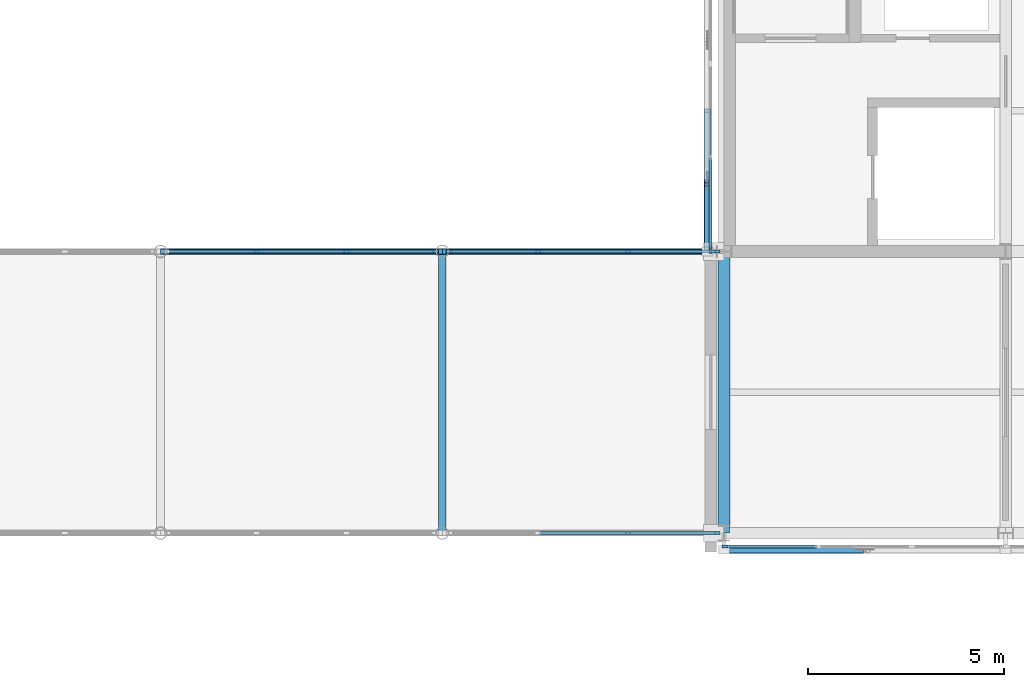
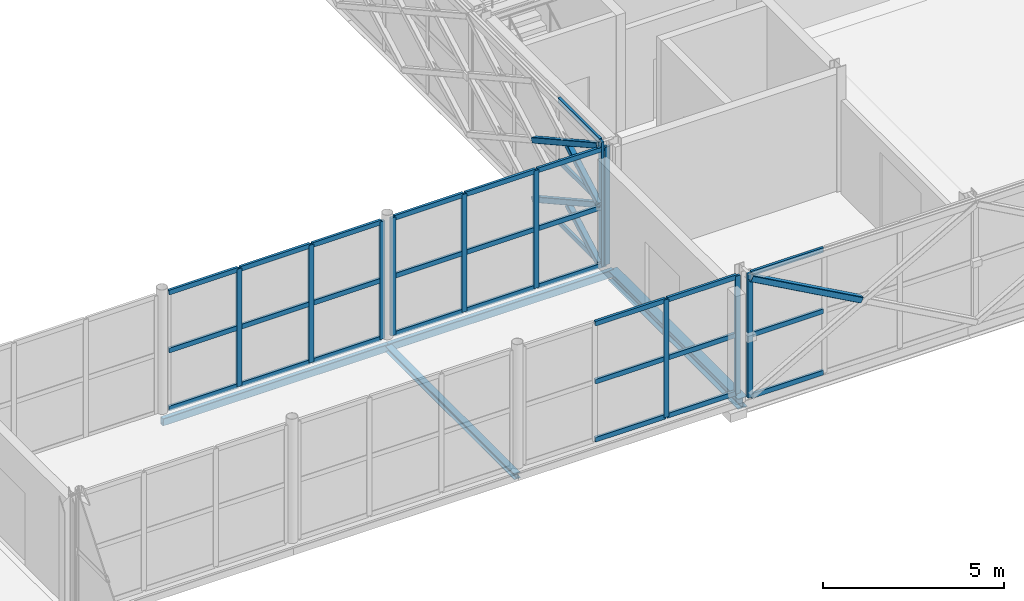
# One storey, part 46 of 126: 46 members, 4 beams, 5 elements without a shape of their own.
"""IFC4 building model written with IfcOpenShell, lengths in metres."""

from ifc_helpers import new_model, si_unit, direction, frame, origin, origin_2d, place, context, subcontext, project, spatial, rectangle, hollow_rectangle, i_section, extrude, material, material_profile, profile_set, type_object, element, aggregate, save


model = new_model("IFC4")

# Units and contexts
model_context = context("Model", 3, precision=1e-05, world=origin(), true_north=direction((0.0, 1.0)))
body_context = subcontext(model_context, "Body", "Model", "MODEL_VIEW")
ifc_project = project(units=[si_unit("LENGTHUNIT", "METRE"), si_unit("AREAUNIT", "SQUARE_METRE"), si_unit("VOLUMEUNIT", "CUBIC_METRE"), si_unit("PLANEANGLEUNIT", "RADIAN"), si_unit("MASSUNIT", "GRAM", prefix="KILO")], contexts=[model_context])

# Site, building, storey
site_placement = place(None, origin())
site = spatial("IfcSite", under=ifc_project, at=site_placement, CompositionType="ELEMENT")
building_placement = place(site_placement, origin())
building = spatial("IfcBuilding", under=site, at=building_placement, Name="Zlatovets Crest Museum", CompositionType="ELEMENT")
storey_placement = place(building_placement, frame((0.0, 0.0, 8.699951171875)))
storey = spatial("IfcBuildingStorey", under=building, at=storey_placement, Name="L02", CompositionType="ELEMENT", Elevation=8.699951171875)

# Beams
ifc_material_1 = material(Name="Structural steel S355J2", Category="steel")
ifc_material_profile_1 = material_profile(ifc_material_1, i_section(OverallWidth=0.300048828125, OverallDepth=0.35009765625, WebThickness=0.010009765625, FlangeThickness=0.017578125, FilletRadius=0.027099609375, at=origin_2d()), Name="HEA 360")
ifc_profile_set_1 = profile_set([ifc_material_profile_1], Name="Structural steel S355J2")
beam_type_1 = type_object("IfcBeamType", Name="Beam_B-03", PredefinedType="BEAM", material=ifc_profile_set_1)
beam_1_placement = place(storey_placement, frame((57.60009765625, 86.39990234375, -0.39501953125), z_axis=(0.0, 1.0, 0.0), x_axis=(-1.0, 0.0, 0.0)))
element("IfcBeam", 1, at=beam_1_placement, inside=storey, type_object=beam_type_1, Name="V1 L02 Grid Beam B-03", PredefinedType="BEAM", context=body_context, shape_type="SweptSolid", body=[
    extrude(i_section(OverallWidth=0.300048828125, OverallDepth=0.35009765625, WebThickness=0.010009765625, FlangeThickness=0.017578125, FilletRadius=0.027099609375, at=origin_2d()), origin(), (0.0, 0.0, 1.0), 7.2001953125),
])
ifc_material_profile_2 = material_profile(ifc_material_1, i_section(OverallWidth=0.199951171875, OverallDepth=0.18994140625, WebThickness=0.006591796875, FlangeThickness=0.010009765625, FilletRadius=0.01806640625, at=origin_2d()), Name="HEA 200")
ifc_profile_set_2 = profile_set([ifc_material_profile_2], Name="Structural steel S355J2")
beam_type_2 = type_object("IfcBeamType", Name="Beam_B-15", PredefinedType="BEAM", material=ifc_profile_set_2)
beam_2_placement = place(storey_placement, frame((50.39990234375, 86.39990234375, -0.344970703125), z_axis=(0.0, 1.0, 0.0), x_axis=(-1.0, 0.0, 0.0)))
element("IfcBeam", 2, at=beam_2_placement, inside=storey, type_object=beam_type_2, Name="Northwest Crest Glazed Link Bridge L02 Cross Beam", PredefinedType="BEAM", context=body_context, shape_type="SweptSolid", body=[
    extrude(i_section(OverallWidth=0.199951171875, OverallDepth=0.18994140625, WebThickness=0.006591796875, FlangeThickness=0.010009765625, FilletRadius=0.01806640625, at=origin_2d()), origin(), (0.0, 0.0, 1.0), 7.2001953125),
])
ifc_material_profile_3 = material_profile(ifc_material_1, hollow_rectangle(XDim=0.14990234375, YDim=0.25, WallThickness=0.010009765625, InnerFilletRadius=0.010009765625, OuterFilletRadius=0.02001953125, at=origin_2d()), Name="RHS 150x250x10.0")
ifc_profile_set_3 = profile_set([ifc_material_profile_3], Name="Structural steel S355J2")
beam_type_3 = type_object("IfcBeamType", Name="Beam_BRG-03", PredefinedType="BEAM", material=ifc_profile_set_3)
beam_3_placement = place(storey_placement, frame((43.199951171875, 93.60009765625, -0.344970703125), z_axis=(1.0, 0.0, 0.0), x_axis=(0.0, 1.0, 0.0)))
element("IfcBeam", 3, at=beam_3_placement, inside=storey, type_object=beam_type_3, Name="Northwest Crest Glazed Link Bridge L02 Stringer Beam", PredefinedType="BEAM", context=body_context, shape_type="SweptSolid", body=[
    extrude(hollow_rectangle(XDim=0.14990234375, YDim=0.25, WallThickness=0.010009765625, InnerFilletRadius=0.010009765625, OuterFilletRadius=0.02001953125, at=origin_2d()), origin(), (0.0, 0.0, 1.0), 7.199951171875),
])
beam_4_placement = place(storey_placement, frame((50.39990234375, 93.60009765625, -0.344970703125), z_axis=(1.0, 0.0, 0.0), x_axis=(0.0, 1.0, 0.0)))
element("IfcBeam", 4, at=beam_4_placement, inside=storey, type_object=beam_type_3, Name="Northwest Crest Glazed Link Bridge L02 Stringer Beam", PredefinedType="BEAM", context=body_context, shape_type="SweptSolid", body=[
    extrude(hollow_rectangle(XDim=0.14990234375, YDim=0.25, WallThickness=0.010009765625, InnerFilletRadius=0.010009765625, OuterFilletRadius=0.02001953125, at=origin_2d()), origin(), (0.0, 0.0, 1.0), 7.2001953125),
])

# Curtain wall, member
ifc_material_2 = material(Name="Bronze-anodised aluminium and low-E triple glass", Category="aluminium")
curtain_wall_type_1 = type_object("IfcCurtainWallType", Name="CW_CW-V1-L02-M0", PredefinedType="NOTDEFINED", material=ifc_material_2)
curtain_wall_1_placement = place(storey_placement, origin())
curtain_wall_1 = element("IfcCurtainWall", 5, at=curtain_wall_1_placement, inside=storey, type_object=curtain_wall_type_1, Name="V1 L02 Secession Foyer Clear Curtain Wall", PredefinedType="NOTDEFINED")
ifc_material_3 = material(Name="Bronze-anodised aluminium EN AW-6060", Category="aluminium")
ifc_material_profile_4 = material_profile(ifc_material_3, rectangle(XDim=0.080078125, YDim=0.159912109375, at=origin_2d()), Name="ALU 80x160")
ifc_profile_set_4 = profile_set([ifc_material_profile_4], Name="Bronze-anodised aluminium EN AW-6060")
member_type_1 = type_object("IfcMemberType", Name="CWMull_M1", PredefinedType="MULLION", material=ifc_profile_set_4)
member_1_placement = place(storey_placement, frame((57.6298828125, 86.06005859375, 0.0), z_axis=(0.0, 0.0, 1.0), x_axis=(0.0, 1.0, 0.0)))
member_1 = element("IfcMember", 6, at=member_1_placement, type_object=member_type_1, Name="CW-V1-L02-M0 mullion 1", PredefinedType="MULLION", context=body_context, shape_type="SweptSolid", body=[
    extrude(rectangle(XDim=0.080078125, YDim=0.159912109375, at=origin_2d()), origin(), (0.0, 0.0, 1.0), 4.199951171875),
])

curtain_wall_2_placement = place(storey_placement, origin())
curtain_wall_2 = element("IfcCurtainWall", 7, at=curtain_wall_2_placement, inside=storey, type_object=curtain_wall_type_1, Name="V1 L02 Expressed Core Glazed Facade", PredefinedType="NOTDEFINED")
member_2_placement = place(storey_placement, frame((57.260009765625, 93.6298828125, 0.0), z_axis=(0.0, 0.0, 1.0), x_axis=(1.0, 0.0, 0.0)))
member_2 = element("IfcMember", 8, at=member_2_placement, type_object=member_type_1, Name="CW-V1-L02-M0 mullion 4", PredefinedType="MULLION", context=body_context, shape_type="SweptSolid", body=[
    extrude(rectangle(XDim=0.080078125, YDim=0.159912109375, at=origin_2d()), origin(), (0.0, 0.0, 1.0), 4.199951171875),
])

# Curtain wall, members
curtain_wall_type_2 = type_object("IfcCurtainWallType", Name="CW_CW-BR3-L02-S69", PredefinedType="NOTDEFINED", material=ifc_material_2)
curtain_wall_3_placement = place(storey_placement, origin())
curtain_wall_3 = element("IfcCurtainWall", 9, at=curtain_wall_3_placement, inside=storey, type_object=curtain_wall_type_2, Name="Northwest Crest Glazed Link Bridge L02 Glazed Bridge Curtain Wall", PredefinedType="NOTDEFINED")
member_3_placement = place(storey_placement, frame((55.14990234375, 86.39990234375, 0.0), z_axis=(0.0, 0.0, 1.0), x_axis=(0.0, 1.0, 0.0)))
member_3 = element("IfcMember", 10, at=member_3_placement, type_object=member_type_1, Name="CW-BR3-L02-S69 mullion 3", PredefinedType="MULLION", context=body_context, shape_type="SweptSolid", body=[
    extrude(rectangle(XDim=0.080078125, YDim=0.159912109375, at=origin_2d()), origin(), (0.0, 0.0, 1.0), 3.97998046875),
])
member_4_placement = place(storey_placement, frame((57.419921875, 86.39990234375, 0.0), z_axis=(0.0, 0.0, 1.0), x_axis=(0.0, 1.0, 0.0)))
member_4 = element("IfcMember", 11, at=member_4_placement, type_object=member_type_1, Name="CW-BR3-L02-S69 mullion 4", PredefinedType="MULLION", context=body_context, shape_type="SweptSolid", body=[
    extrude(rectangle(XDim=0.080078125, YDim=0.159912109375, at=origin_2d()), origin(), (0.0, 0.0, 1.0), 3.97998046875),
])

curtain_wall_4_placement = place(storey_placement, origin())
curtain_wall_4 = element("IfcCurtainWall", 12, at=curtain_wall_4_placement, inside=storey, type_object=curtain_wall_type_2, Name="Northwest Crest Glazed Link Bridge L02 Glazed Bridge Curtain Wall", PredefinedType="NOTDEFINED")
member_5_placement = place(storey_placement, frame((45.64990234375, 93.60009765625, 0.0), z_axis=(0.0, 0.0, 1.0), x_axis=(0.0, 1.0, 0.0)))
member_5 = element("IfcMember", 13, at=member_5_placement, type_object=member_type_1, Name="CW-BR3-L02-S69 mullion 2", PredefinedType="MULLION", context=body_context, shape_type="SweptSolid", body=[
    extrude(rectangle(XDim=0.080078125, YDim=0.159912109375, at=origin_2d()), origin(), (0.0, 0.0, 1.0), 3.97998046875),
])
member_6_placement = place(storey_placement, frame((47.949951171875, 93.60009765625, 0.0), z_axis=(0.0, 0.0, 1.0), x_axis=(0.0, 1.0, 0.0)))
member_6 = element("IfcMember", 14, at=member_6_placement, type_object=member_type_1, Name="CW-BR3-L02-S69 mullion 3", PredefinedType="MULLION", context=body_context, shape_type="SweptSolid", body=[
    extrude(rectangle(XDim=0.080078125, YDim=0.159912109375, at=origin_2d()), origin(), (0.0, 0.0, 1.0), 3.97998046875),
])
member_7_placement = place(storey_placement, frame((50.219970703125, 93.60009765625, 0.0), z_axis=(0.0, 0.0, 1.0), x_axis=(0.0, 1.0, 0.0)))
member_7 = element("IfcMember", 15, at=member_7_placement, type_object=member_type_1, Name="CW-BR3-L02-S69 mullion 4", PredefinedType="MULLION", context=body_context, shape_type="SweptSolid", body=[
    extrude(rectangle(XDim=0.080078125, YDim=0.159912109375, at=origin_2d()), origin(), (0.0, 0.0, 1.0), 3.97998046875),
])

curtain_wall_5_placement = place(storey_placement, origin())
curtain_wall_5 = element("IfcCurtainWall", 16, at=curtain_wall_5_placement, inside=storey, type_object=curtain_wall_type_2, Name="Northwest Crest Glazed Link Bridge L02 Glazed Bridge Curtain Wall", PredefinedType="NOTDEFINED")
member_8_placement = place(storey_placement, frame((50.580078125, 93.60009765625, 0.0), z_axis=(0.0, 0.0, 1.0), x_axis=(0.0, 1.0, 0.0)))
member_8 = element("IfcMember", 17, at=member_8_placement, type_object=member_type_1, Name="CW-BR3-L02-S69 mullion 1", PredefinedType="MULLION", context=body_context, shape_type="SweptSolid", body=[
    extrude(rectangle(XDim=0.080078125, YDim=0.159912109375, at=origin_2d()), origin(), (0.0, 0.0, 1.0), 3.97998046875),
])
member_9_placement = place(storey_placement, frame((52.85009765625, 93.60009765625, 0.0), z_axis=(0.0, 0.0, 1.0), x_axis=(0.0, 1.0, 0.0)))
member_9 = element("IfcMember", 18, at=member_9_placement, type_object=member_type_1, Name="CW-BR3-L02-S69 mullion 2", PredefinedType="MULLION", context=body_context, shape_type="SweptSolid", body=[
    extrude(rectangle(XDim=0.080078125, YDim=0.159912109375, at=origin_2d()), origin(), (0.0, 0.0, 1.0), 3.97998046875),
])
member_10_placement = place(storey_placement, frame((55.14990234375, 93.60009765625, 0.0), z_axis=(0.0, 0.0, 1.0), x_axis=(0.0, 1.0, 0.0)))
member_10 = element("IfcMember", 19, at=member_10_placement, type_object=member_type_1, Name="CW-BR3-L02-S69 mullion 3", PredefinedType="MULLION", context=body_context, shape_type="SweptSolid", body=[
    extrude(rectangle(XDim=0.080078125, YDim=0.159912109375, at=origin_2d()), origin(), (0.0, 0.0, 1.0), 3.97998046875),
])
member_11_placement = place(storey_placement, frame((57.419921875, 93.60009765625, 0.0), z_axis=(0.0, 0.0, 1.0), x_axis=(0.0, 1.0, 0.0)))
member_11 = element("IfcMember", 20, at=member_11_placement, type_object=member_type_1, Name="CW-BR3-L02-S69 mullion 4", PredefinedType="MULLION", context=body_context, shape_type="SweptSolid", body=[
    extrude(rectangle(XDim=0.080078125, YDim=0.159912109375, at=origin_2d()), origin(), (0.0, 0.0, 1.0), 3.97998046875),
])

# Member
ifc_material_profile_5 = material_profile(ifc_material_3, rectangle(XDim=0.080078125, YDim=0.159912109375, at=origin_2d()), Name="ALU 80x160")
ifc_profile_set_5 = profile_set([ifc_material_profile_5], Name="Bronze-anodised aluminium EN AW-6060")
member_type_2 = type_object("IfcMemberType", Name="CWTrans_T1", PredefinedType="USERDEFINED", material=ifc_profile_set_5)
member_12_placement = place(storey_placement, frame((57.659912109375, 86.06005859375, 0.030029296875), z_axis=(1.0, 0.0, 0.0), x_axis=(0.0, 1.0, 0.0)))
member_12 = element("IfcMember", 21, at=member_12_placement, type_object=member_type_2, Name="CW-V1-L02-M0 transom 1.1", ObjectType="TRANSOM", PredefinedType="USERDEFINED", context=body_context, shape_type="SweptSolid", body=[
    extrude(rectangle(XDim=0.080078125, YDim=0.159912109375, at=origin_2d()), origin(), (0.0, 0.0, 1.0), 2.31005859375),
])

member_13_placement = place(storey_placement, frame((57.659912109375, 86.06005859375, 2.10009765625), z_axis=(1.0, 0.0, 0.0), x_axis=(0.0, 1.0, 0.0)))
member_13 = element("IfcMember", 22, at=member_13_placement, type_object=member_type_2, Name="CW-V1-L02-M0 transom 1.2", ObjectType="TRANSOM", PredefinedType="USERDEFINED", context=body_context, shape_type="SweptSolid", body=[
    extrude(rectangle(XDim=0.080078125, YDim=0.159912109375, at=origin_2d()), origin(), (0.0, 0.0, 1.0), 2.31005859375),
])

member_14_placement = place(storey_placement, frame((57.659912109375, 86.06005859375, 4.170166015625), z_axis=(1.0, 0.0, 0.0), x_axis=(0.0, 1.0, 0.0)))
member_14 = element("IfcMember", 23, at=member_14_placement, type_object=member_type_2, Name="CW-V1-L02-M0 transom 1.3", ObjectType="TRANSOM", PredefinedType="USERDEFINED", context=body_context, shape_type="SweptSolid", body=[
    extrude(rectangle(XDim=0.080078125, YDim=0.159912109375, at=origin_2d()), origin(), (0.0, 0.0, 1.0), 2.31005859375),
])

aggregate(curtain_wall_1, [member_1, member_12, member_13, member_14])

member_15_placement = place(storey_placement, frame((57.260009765625, 95.969970703125, 0.030029296875), z_axis=(0.0, -1.0, 0.0), x_axis=(1.0, 0.0, 0.0)))
member_15 = element("IfcMember", 24, at=member_15_placement, type_object=member_type_2, Name="CW-V1-L02-M0 transom 3.1", ObjectType="TRANSOM", PredefinedType="USERDEFINED", context=body_context, shape_type="SweptSolid", body=[
    extrude(rectangle(XDim=0.080078125, YDim=0.159912109375, at=origin_2d()), origin(), (0.0, 0.0, 1.0), 2.31005859375),
])

member_16_placement = place(storey_placement, frame((57.260009765625, 95.969970703125, 2.10009765625), z_axis=(0.0, -1.0, 0.0), x_axis=(1.0, 0.0, 0.0)))
member_16 = element("IfcMember", 25, at=member_16_placement, type_object=member_type_2, Name="CW-V1-L02-M0 transom 3.2", ObjectType="TRANSOM", PredefinedType="USERDEFINED", context=body_context, shape_type="SweptSolid", body=[
    extrude(rectangle(XDim=0.080078125, YDim=0.159912109375, at=origin_2d()), origin(), (0.0, 0.0, 1.0), 2.31005859375),
])

member_17_placement = place(storey_placement, frame((57.260009765625, 95.969970703125, 4.170166015625), z_axis=(0.0, -1.0, 0.0), x_axis=(1.0, 0.0, 0.0)))
member_17 = element("IfcMember", 26, at=member_17_placement, type_object=member_type_2, Name="CW-V1-L02-M0 transom 3.3", ObjectType="TRANSOM", PredefinedType="USERDEFINED", context=body_context, shape_type="SweptSolid", body=[
    extrude(rectangle(XDim=0.080078125, YDim=0.159912109375, at=origin_2d()), origin(), (0.0, 0.0, 1.0), 2.31005859375),
])

aggregate(curtain_wall_2, [member_2, member_15, member_16, member_17])

member_18_placement = place(storey_placement, frame((52.8798828125, 86.39990234375, 0.030029296875), z_axis=(1.0, 0.0, 0.0), x_axis=(0.0, 1.0, 0.0)))
member_18 = element("IfcMember", 27, at=member_18_placement, type_object=member_type_2, Name="CW-BR3-L02-S69 transom 2.1", ObjectType="TRANSOM", PredefinedType="USERDEFINED", context=body_context, shape_type="SweptSolid", body=[
    extrude(rectangle(XDim=0.080078125, YDim=0.159912109375, at=origin_2d()), origin(), (0.0, 0.0, 1.0), 2.240234375),
])

member_19_placement = place(storey_placement, frame((52.8798828125, 86.39990234375, 1.989990234375), z_axis=(1.0, 0.0, 0.0), x_axis=(0.0, 1.0, 0.0)))
member_19 = element("IfcMember", 28, at=member_19_placement, type_object=member_type_2, Name="CW-BR3-L02-S69 transom 2.2", ObjectType="TRANSOM", PredefinedType="USERDEFINED", context=body_context, shape_type="SweptSolid", body=[
    extrude(rectangle(XDim=0.080078125, YDim=0.159912109375, at=origin_2d()), origin(), (0.0, 0.0, 1.0), 2.240234375),
])

member_20_placement = place(storey_placement, frame((52.8798828125, 86.39990234375, 3.949951171875), z_axis=(1.0, 0.0, 0.0), x_axis=(0.0, 1.0, 0.0)))
member_20 = element("IfcMember", 29, at=member_20_placement, type_object=member_type_2, Name="CW-BR3-L02-S69 transom 2.3", ObjectType="TRANSOM", PredefinedType="USERDEFINED", context=body_context, shape_type="SweptSolid", body=[
    extrude(rectangle(XDim=0.080078125, YDim=0.159912109375, at=origin_2d()), origin(), (0.0, 0.0, 1.0), 2.240234375),
])

member_21_placement = place(storey_placement, frame((55.179931640625, 86.39990234375, 0.030029296875), z_axis=(1.0, 0.0, 0.0), x_axis=(0.0, 1.0, 0.0)))
member_21 = element("IfcMember", 30, at=member_21_placement, type_object=member_type_2, Name="CW-BR3-L02-S69 transom 3.1", ObjectType="TRANSOM", PredefinedType="USERDEFINED", context=body_context, shape_type="SweptSolid", body=[
    extrude(rectangle(XDim=0.080078125, YDim=0.159912109375, at=origin_2d()), origin(), (0.0, 0.0, 1.0), 2.2099609375),
])

member_22_placement = place(storey_placement, frame((55.179931640625, 86.39990234375, 1.989990234375), z_axis=(1.0, 0.0, 0.0), x_axis=(0.0, 1.0, 0.0)))
member_22 = element("IfcMember", 31, at=member_22_placement, type_object=member_type_2, Name="CW-BR3-L02-S69 transom 3.2", ObjectType="TRANSOM", PredefinedType="USERDEFINED", context=body_context, shape_type="SweptSolid", body=[
    extrude(rectangle(XDim=0.080078125, YDim=0.159912109375, at=origin_2d()), origin(), (0.0, 0.0, 1.0), 2.2099609375),
])

member_23_placement = place(storey_placement, frame((55.179931640625, 86.39990234375, 3.949951171875), z_axis=(1.0, 0.0, 0.0), x_axis=(0.0, 1.0, 0.0)))
member_23 = element("IfcMember", 32, at=member_23_placement, type_object=member_type_2, Name="CW-BR3-L02-S69 transom 3.3", ObjectType="TRANSOM", PredefinedType="USERDEFINED", context=body_context, shape_type="SweptSolid", body=[
    extrude(rectangle(XDim=0.080078125, YDim=0.159912109375, at=origin_2d()), origin(), (0.0, 0.0, 1.0), 2.2099609375),
])

aggregate(curtain_wall_3, [member_3, member_4, member_18, member_19, member_20, member_21, member_22, member_23])

member_24_placement = place(storey_placement, frame((43.409912109375, 93.60009765625, 0.030029296875), z_axis=(1.0, 0.0, 0.0), x_axis=(0.0, 1.0, 0.0)))
member_24 = element("IfcMember", 33, at=member_24_placement, type_object=member_type_2, Name="CW-BR3-L02-S69 transom 1.1", ObjectType="TRANSOM", PredefinedType="USERDEFINED", context=body_context, shape_type="SweptSolid", body=[
    extrude(rectangle(XDim=0.080078125, YDim=0.159912109375, at=origin_2d()), origin(), (0.0, 0.0, 1.0), 2.210205078125),
])

member_25_placement = place(storey_placement, frame((43.409912109375, 93.60009765625, 1.989990234375), z_axis=(1.0, 0.0, 0.0), x_axis=(0.0, 1.0, 0.0)))
member_25 = element("IfcMember", 34, at=member_25_placement, type_object=member_type_2, Name="CW-BR3-L02-S69 transom 1.2", ObjectType="TRANSOM", PredefinedType="USERDEFINED", context=body_context, shape_type="SweptSolid", body=[
    extrude(rectangle(XDim=0.080078125, YDim=0.159912109375, at=origin_2d()), origin(), (0.0, 0.0, 1.0), 2.210205078125),
])

member_26_placement = place(storey_placement, frame((43.409912109375, 93.60009765625, 3.949951171875), z_axis=(1.0, 0.0, 0.0), x_axis=(0.0, 1.0, 0.0)))
member_26 = element("IfcMember", 35, at=member_26_placement, type_object=member_type_2, Name="CW-BR3-L02-S69 transom 1.3", ObjectType="TRANSOM", PredefinedType="USERDEFINED", context=body_context, shape_type="SweptSolid", body=[
    extrude(rectangle(XDim=0.080078125, YDim=0.159912109375, at=origin_2d()), origin(), (0.0, 0.0, 1.0), 2.210205078125),
])

member_27_placement = place(storey_placement, frame((45.679931640625, 93.60009765625, 0.030029296875), z_axis=(1.0, 0.0, 0.0), x_axis=(0.0, 1.0, 0.0)))
member_27 = element("IfcMember", 36, at=member_27_placement, type_object=member_type_2, Name="CW-BR3-L02-S69 transom 2.1", ObjectType="TRANSOM", PredefinedType="USERDEFINED", context=body_context, shape_type="SweptSolid", body=[
    extrude(rectangle(XDim=0.080078125, YDim=0.159912109375, at=origin_2d()), origin(), (0.0, 0.0, 1.0), 2.239990234375),
])

member_28_placement = place(storey_placement, frame((45.679931640625, 93.60009765625, 1.989990234375), z_axis=(1.0, 0.0, 0.0), x_axis=(0.0, 1.0, 0.0)))
member_28 = element("IfcMember", 37, at=member_28_placement, type_object=member_type_2, Name="CW-BR3-L02-S69 transom 2.2", ObjectType="TRANSOM", PredefinedType="USERDEFINED", context=body_context, shape_type="SweptSolid", body=[
    extrude(rectangle(XDim=0.080078125, YDim=0.159912109375, at=origin_2d()), origin(), (0.0, 0.0, 1.0), 2.239990234375),
])

member_29_placement = place(storey_placement, frame((45.679931640625, 93.60009765625, 3.949951171875), z_axis=(1.0, 0.0, 0.0), x_axis=(0.0, 1.0, 0.0)))
member_29 = element("IfcMember", 38, at=member_29_placement, type_object=member_type_2, Name="CW-BR3-L02-S69 transom 2.3", ObjectType="TRANSOM", PredefinedType="USERDEFINED", context=body_context, shape_type="SweptSolid", body=[
    extrude(rectangle(XDim=0.080078125, YDim=0.159912109375, at=origin_2d()), origin(), (0.0, 0.0, 1.0), 2.239990234375),
])

member_30_placement = place(storey_placement, frame((47.97998046875, 93.60009765625, 0.030029296875), z_axis=(1.0, 0.0, 0.0), x_axis=(0.0, 1.0, 0.0)))
member_30 = element("IfcMember", 39, at=member_30_placement, type_object=member_type_2, Name="CW-BR3-L02-S69 transom 3.1", ObjectType="TRANSOM", PredefinedType="USERDEFINED", context=body_context, shape_type="SweptSolid", body=[
    extrude(rectangle(XDim=0.080078125, YDim=0.159912109375, at=origin_2d()), origin(), (0.0, 0.0, 1.0), 2.2099609375),
])

member_31_placement = place(storey_placement, frame((47.97998046875, 93.60009765625, 1.989990234375), z_axis=(1.0, 0.0, 0.0), x_axis=(0.0, 1.0, 0.0)))
member_31 = element("IfcMember", 40, at=member_31_placement, type_object=member_type_2, Name="CW-BR3-L02-S69 transom 3.2", ObjectType="TRANSOM", PredefinedType="USERDEFINED", context=body_context, shape_type="SweptSolid", body=[
    extrude(rectangle(XDim=0.080078125, YDim=0.159912109375, at=origin_2d()), origin(), (0.0, 0.0, 1.0), 2.2099609375),
])

member_32_placement = place(storey_placement, frame((47.97998046875, 93.60009765625, 3.949951171875), z_axis=(1.0, 0.0, 0.0), x_axis=(0.0, 1.0, 0.0)))
member_32 = element("IfcMember", 41, at=member_32_placement, type_object=member_type_2, Name="CW-BR3-L02-S69 transom 3.3", ObjectType="TRANSOM", PredefinedType="USERDEFINED", context=body_context, shape_type="SweptSolid", body=[
    extrude(rectangle(XDim=0.080078125, YDim=0.159912109375, at=origin_2d()), origin(), (0.0, 0.0, 1.0), 2.2099609375),
])

aggregate(curtain_wall_4, [member_5, member_6, member_7, member_24, member_25, member_26, member_27, member_28, member_29, member_30, member_31, member_32])

member_33_placement = place(storey_placement, frame((50.610107421875, 93.60009765625, 0.030029296875), z_axis=(1.0, 0.0, 0.0), x_axis=(0.0, 1.0, 0.0)))
member_33 = element("IfcMember", 42, at=member_33_placement, type_object=member_type_2, Name="CW-BR3-L02-S69 transom 1.1", ObjectType="TRANSOM", PredefinedType="USERDEFINED", context=body_context, shape_type="SweptSolid", body=[
    extrude(rectangle(XDim=0.080078125, YDim=0.159912109375, at=origin_2d()), origin(), (0.0, 0.0, 1.0), 2.2099609375),
])

member_34_placement = place(storey_placement, frame((50.610107421875, 93.60009765625, 1.989990234375), z_axis=(1.0, 0.0, 0.0), x_axis=(0.0, 1.0, 0.0)))
member_34 = element("IfcMember", 43, at=member_34_placement, type_object=member_type_2, Name="CW-BR3-L02-S69 transom 1.2", ObjectType="TRANSOM", PredefinedType="USERDEFINED", context=body_context, shape_type="SweptSolid", body=[
    extrude(rectangle(XDim=0.080078125, YDim=0.159912109375, at=origin_2d()), origin(), (0.0, 0.0, 1.0), 2.2099609375),
])

member_35_placement = place(storey_placement, frame((50.610107421875, 93.60009765625, 3.949951171875), z_axis=(1.0, 0.0, 0.0), x_axis=(0.0, 1.0, 0.0)))
member_35 = element("IfcMember", 44, at=member_35_placement, type_object=member_type_2, Name="CW-BR3-L02-S69 transom 1.3", ObjectType="TRANSOM", PredefinedType="USERDEFINED", context=body_context, shape_type="SweptSolid", body=[
    extrude(rectangle(XDim=0.080078125, YDim=0.159912109375, at=origin_2d()), origin(), (0.0, 0.0, 1.0), 2.2099609375),
])

member_36_placement = place(storey_placement, frame((52.8798828125, 93.60009765625, 0.030029296875), z_axis=(1.0, 0.0, 0.0), x_axis=(0.0, 1.0, 0.0)))
member_36 = element("IfcMember", 45, at=member_36_placement, type_object=member_type_2, Name="CW-BR3-L02-S69 transom 2.1", ObjectType="TRANSOM", PredefinedType="USERDEFINED", context=body_context, shape_type="SweptSolid", body=[
    extrude(rectangle(XDim=0.080078125, YDim=0.159912109375, at=origin_2d()), origin(), (0.0, 0.0, 1.0), 2.240234375),
])

member_37_placement = place(storey_placement, frame((52.8798828125, 93.60009765625, 1.989990234375), z_axis=(1.0, 0.0, 0.0), x_axis=(0.0, 1.0, 0.0)))
member_37 = element("IfcMember", 46, at=member_37_placement, type_object=member_type_2, Name="CW-BR3-L02-S69 transom 2.2", ObjectType="TRANSOM", PredefinedType="USERDEFINED", context=body_context, shape_type="SweptSolid", body=[
    extrude(rectangle(XDim=0.080078125, YDim=0.159912109375, at=origin_2d()), origin(), (0.0, 0.0, 1.0), 2.240234375),
])

member_38_placement = place(storey_placement, frame((52.8798828125, 93.60009765625, 3.949951171875), z_axis=(1.0, 0.0, 0.0), x_axis=(0.0, 1.0, 0.0)))
member_38 = element("IfcMember", 47, at=member_38_placement, type_object=member_type_2, Name="CW-BR3-L02-S69 transom 2.3", ObjectType="TRANSOM", PredefinedType="USERDEFINED", context=body_context, shape_type="SweptSolid", body=[
    extrude(rectangle(XDim=0.080078125, YDim=0.159912109375, at=origin_2d()), origin(), (0.0, 0.0, 1.0), 2.240234375),
])

member_39_placement = place(storey_placement, frame((55.179931640625, 93.60009765625, 0.030029296875), z_axis=(1.0, 0.0, 0.0), x_axis=(0.0, 1.0, 0.0)))
member_39 = element("IfcMember", 48, at=member_39_placement, type_object=member_type_2, Name="CW-BR3-L02-S69 transom 3.1", ObjectType="TRANSOM", PredefinedType="USERDEFINED", context=body_context, shape_type="SweptSolid", body=[
    extrude(rectangle(XDim=0.080078125, YDim=0.159912109375, at=origin_2d()), origin(), (0.0, 0.0, 1.0), 2.2099609375),
])

member_40_placement = place(storey_placement, frame((55.179931640625, 93.60009765625, 1.989990234375), z_axis=(1.0, 0.0, 0.0), x_axis=(0.0, 1.0, 0.0)))
member_40 = element("IfcMember", 49, at=member_40_placement, type_object=member_type_2, Name="CW-BR3-L02-S69 transom 3.2", ObjectType="TRANSOM", PredefinedType="USERDEFINED", context=body_context, shape_type="SweptSolid", body=[
    extrude(rectangle(XDim=0.080078125, YDim=0.159912109375, at=origin_2d()), origin(), (0.0, 0.0, 1.0), 2.2099609375),
])

member_41_placement = place(storey_placement, frame((55.179931640625, 93.60009765625, 3.949951171875), z_axis=(1.0, 0.0, 0.0), x_axis=(0.0, 1.0, 0.0)))
member_41 = element("IfcMember", 50, at=member_41_placement, type_object=member_type_2, Name="CW-BR3-L02-S69 transom 3.3", ObjectType="TRANSOM", PredefinedType="USERDEFINED", context=body_context, shape_type="SweptSolid", body=[
    extrude(rectangle(XDim=0.080078125, YDim=0.159912109375, at=origin_2d()), origin(), (0.0, 0.0, 1.0), 2.2099609375),
])

aggregate(curtain_wall_5, [member_8, member_9, member_10, member_11, member_33, member_34, member_35, member_36, member_37, member_38, member_39, member_40, member_41])

# Members
ifc_material_4 = material(Name="Weathering bronze-steel S355J2W", Category="steel")
ifc_material_profile_6 = material_profile(ifc_material_4, hollow_rectangle(XDim=0.179931640625, YDim=0.179931640625, WallThickness=0.010009765625, InnerFilletRadius=0.010009765625, OuterFilletRadius=0.02001953125, at=origin_2d()), Name="SHS 180x180x10.0")
ifc_profile_set_6 = profile_set([ifc_material_profile_6], Name="Weathering bronze-steel S355J2W")
member_type_3 = type_object("IfcMemberType", Name="Lattice_XL-01", PredefinedType="BRACE", material=ifc_profile_set_6)
member_42_placement = place(storey_placement, frame((57.179931640625, 97.199951171875, 0.10009765625), z_axis=(0.0, -0.874148886685, 0.485658031857), x_axis=(1.0, 0.0, 0.0)))
element("IfcMember", 51, at=member_42_placement, inside=storey, type_object=member_type_3, Name="Continuous Bronze Lattice Diagonal", PredefinedType="BRACE", context=body_context, shape_type="SweptSolid", body=[
    extrude(hollow_rectangle(XDim=0.179931640625, YDim=0.179931640625, WallThickness=0.010009765625, InnerFilletRadius=0.010009765625, OuterFilletRadius=0.02001953125, at=origin_2d()), origin(), (0.0, 0.0, 1.0), 4.1181640625),
])
member_43_placement = place(storey_placement, frame((57.179931640625, 95.31689453125, 1.053955078125), z_axis=(0.0, -0.874139684676, -0.48567459443), x_axis=(1.0, 0.0, 0.0)))
element("IfcMember", 52, at=member_43_placement, inside=storey, type_object=member_type_3, Name="Split Crossing Bronze Lattice Diagonal Lower", PredefinedType="BRACE", context=body_context, shape_type="SweptSolid", body=[
    extrude(hollow_rectangle(XDim=0.179931640625, YDim=0.179931640625, WallThickness=0.010009765625, InnerFilletRadius=0.010009765625, OuterFilletRadius=0.02001953125, at=origin_2d()), origin(), (0.0, 0.0, 1.0), 1.9638671875),
])
member_44_placement = place(storey_placement, frame((57.179931640625, 97.199951171875, 2.10009765625), z_axis=(0.0, -0.874148886685, 0.485658031857), x_axis=(1.0, 0.0, 0.0)))
element("IfcMember", 53, at=member_44_placement, inside=storey, type_object=member_type_3, Name="Continuous Bronze Lattice Diagonal", PredefinedType="BRACE", context=body_context, shape_type="SweptSolid", body=[
    extrude(hollow_rectangle(XDim=0.179931640625, YDim=0.179931640625, WallThickness=0.010009765625, InnerFilletRadius=0.010009765625, OuterFilletRadius=0.02001953125, at=origin_2d()), origin(), (0.0, 0.0, 1.0), 4.1181640625),
])
member_45_placement = place(storey_placement, frame((57.179931640625, 95.31689453125, 3.053955078125), z_axis=(0.0, -0.874139684676, -0.48567459443), x_axis=(1.0, 0.0, 0.0)))
element("IfcMember", 54, at=member_45_placement, inside=storey, type_object=member_type_3, Name="Split Crossing Bronze Lattice Diagonal Lower", PredefinedType="BRACE", context=body_context, shape_type="SweptSolid", body=[
    extrude(hollow_rectangle(XDim=0.179931640625, YDim=0.179931640625, WallThickness=0.010009765625, InnerFilletRadius=0.010009765625, OuterFilletRadius=0.02001953125, at=origin_2d()), origin(), (0.0, 0.0, 1.0), 1.9638671875),
])
ifc_material_profile_7 = material_profile(ifc_material_4, hollow_rectangle(XDim=0.199951171875, YDim=0.199951171875, WallThickness=0.012451171875, InnerFilletRadius=0.012451171875, OuterFilletRadius=0.02490234375, at=origin_2d()), Name="SHS 200x200x12.5")
ifc_profile_set_7 = profile_set([ifc_material_profile_7], Name="Weathering bronze-steel S355J2W")
member_type_4 = type_object("IfcMemberType", Name="Lattice_XL-02", PredefinedType="BRACE", material=ifc_profile_set_7)
member_46_placement = place(storey_placement, frame((57.60009765625, 85.97998046875, 4.10009765625), z_axis=(0.874151551165, 0.0, -0.485653235958), x_axis=(0.0, 1.0, 0.0)))
element("IfcMember", 55, at=member_46_placement, inside=storey, type_object=member_type_4, Name="Split Crossing Bronze Lattice Diagonal Upper", PredefinedType="BRACE", context=body_context, shape_type="SweptSolid", body=[
    extrude(hollow_rectangle(XDim=0.199951171875, YDim=0.199951171875, WallThickness=0.012451171875, InnerFilletRadius=0.012451171875, OuterFilletRadius=0.02490234375, at=origin_2d()), origin(), (0.0, 0.0, 1.0), 4.023193359375),
])

save(model, "model.ifc")
